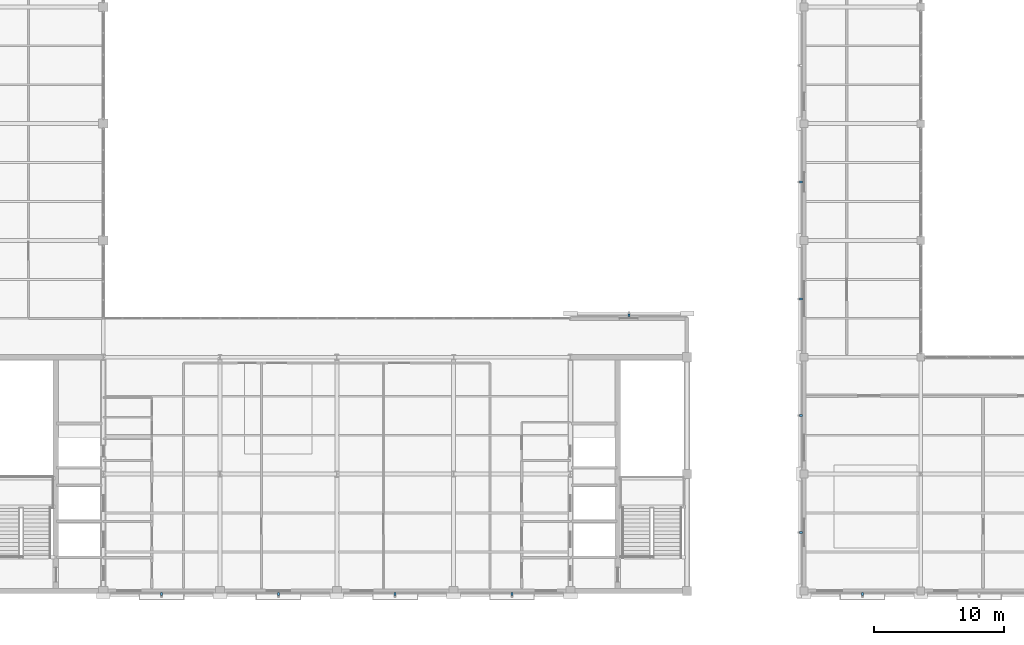
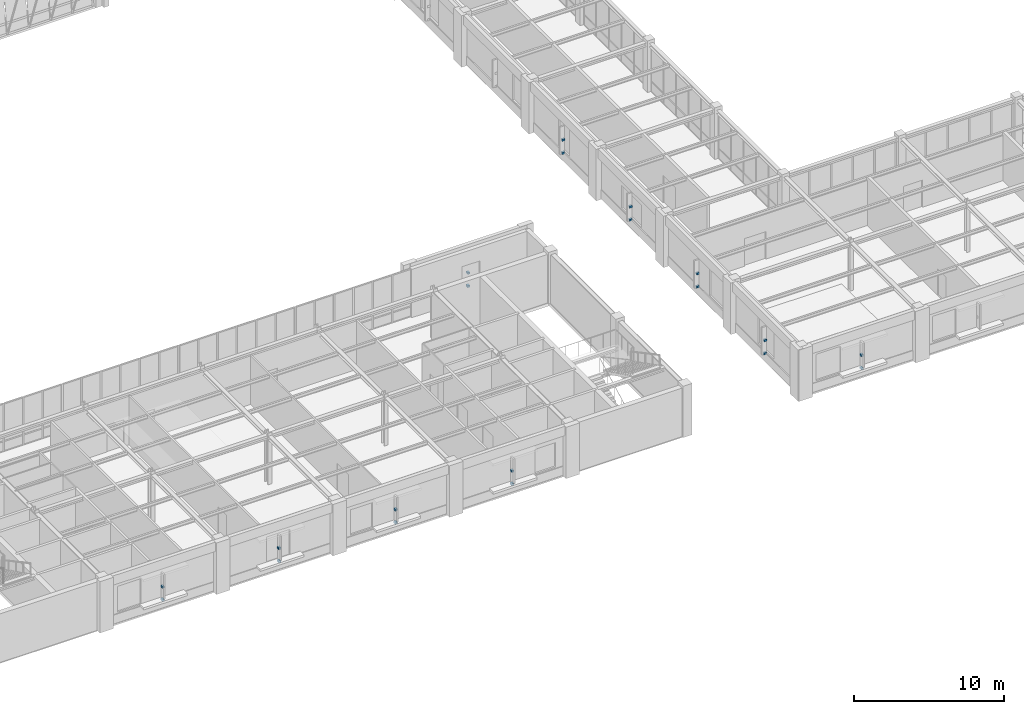
# One storey, part 118 of 130: 20 discrete accessories.
"""IFC4 building model written with IfcOpenShell, lengths in metres."""

from ifc_helpers import new_model, si_unit, direction, frame, origin, origin_2d, place, context, subcontext, project, spatial, rectangle, extrude, material, type_object, element, save


model = new_model("IFC4")

# Units and contexts
model_context = context("Model", 3, precision=1e-05, world=origin(), true_north=direction((0.0, 1.0)))
body_context = subcontext(model_context, "Body", "Model", "MODEL_VIEW")
ifc_project = project(units=[si_unit("LENGTHUNIT", "METRE"), si_unit("AREAUNIT", "SQUARE_METRE"), si_unit("VOLUMEUNIT", "CUBIC_METRE"), si_unit("PLANEANGLEUNIT", "RADIAN"), si_unit("MASSUNIT", "GRAM", prefix="KILO")], contexts=[model_context])

# Site, building, storey
site_placement = place(None, origin())
site = spatial("IfcSite", under=ifc_project, at=site_placement, CompositionType="ELEMENT")
building_placement = place(site_placement, origin())
building = spatial("IfcBuilding", under=site, at=building_placement, Name="Lykobir Media Centre", CompositionType="ELEMENT")
storey_placement = place(building_placement, frame((0.0, 0.0, 19.199951171875)))
storey = spatial("IfcBuildingStorey", under=building, at=storey_placement, Name="L04", CompositionType="ELEMENT", Elevation=19.199951171875)

# Discrete accessories
ifc_material = material(Name="Steel S355", Category="steel")
discrete_accessory_type = type_object("IfcDiscreteAccessoryType", Name="ACC-BRK", PredefinedType="BRACKET", material=ifc_material)
for number, where, z_axis, x_axis, name in (
    (1, (40.5, -0.235107421875, 0.7001953125), (0.0, 0.0, 1.0), (1.0, 0.0, 0.0), "Cumba corbel bracket 101"),
    (2, (40.5, -0.235107421875, 1.77001953125), (0.0, 0.0, 1.0), (1.0, 0.0, 0.0), "Shading fin bracket 102"),
    (3, (49.5, -0.235107421875, 0.7001953125), (0.0, 0.0, 1.0), (1.0, 0.0, 0.0), "Cumba corbel bracket 103"),
    (4, (49.5, -0.235107421875, 1.77001953125), (0.0, 0.0, 1.0), (1.0, 0.0, 0.0), "Shading fin bracket 104"),
    (5, (58.5, -0.235107421875, 0.7001953125), (0.0, 0.0, 1.0), (1.0, 0.0, 0.0), "Cumba corbel bracket 105"),
    (6, (58.5, -0.235107421875, 1.77001953125), (0.0, 0.0, 1.0), (1.0, 0.0, 0.0), "Shading fin bracket 106"),
    (7, (67.5, -0.235107421875, 0.7001953125), (0.0, 0.0, 1.0), (1.0, 0.0, 0.0), "Cumba corbel bracket 107"),
    (8, (67.5, -0.235107421875, 1.77001953125), (0.0, 0.0, 1.0), (1.0, 0.0, 0.0), "Shading fin bracket 108"),
    (9, (76.5, 21.235107421875, 0.7001953125), (0.0, 0.0, 1.0), (-1.0, 0.0, 0.0), "Cumba corbel bracket 109"),
    (10, (76.5, 21.235107421875, 1.77001953125), (0.0, 0.0, 1.0), (-1.0, 0.0, 0.0), "Shading fin bracket 110"),
    (11, (89.764892578125, 22.5, 0.7001953125), (0.0, 0.0, 1.0), (0.0, -1.0, 0.0), "Cumba corbel bracket 129"),
    (12, (89.764892578125, 22.5, 1.77001953125), (0.0, 0.0, 1.0), (0.0, -1.0, 0.0), "Shading fin bracket 130"),
    (13, (89.764892578125, 31.5, 0.7001953125), (0.0, 0.0, 1.0), (0.0, -1.0, 0.0), "Cumba corbel bracket 131"),
    (14, (89.764892578125, 31.5, 1.77001953125), (0.0, 0.0, 1.0), (0.0, -1.0, 0.0), "Shading fin bracket 132"),
    (15, (89.764892578125, 4.5, 0.7001953125), (0.0, 0.0, 1.0), (0.0, -1.0, 0.0), "Cumba corbel bracket 141"),
    (16, (89.764892578125, 4.5, 1.77001953125), (0.0, 0.0, 1.0), (0.0, -1.0, 0.0), "Shading fin bracket 142"),
    (17, (89.764892578125, 13.5, 0.7001953125), (0.0, 0.0, 1.0), (0.0, -1.0, 0.0), "Cumba corbel bracket 143"),
    (18, (89.764892578125, 13.5, 1.77001953125), (0.0, 0.0, 1.0), (0.0, -1.0, 0.0), "Shading fin bracket 144"),
    (19, (94.5, -0.235107421875, 0.7001953125), (0.0, 0.0, 1.0), (1.0, 0.0, 0.0), "Cumba corbel bracket 145"),
    (20, (94.5, -0.235107421875, 1.77001953125), (0.0, 0.0, 1.0), (1.0, 0.0, 0.0), "Shading fin bracket 146"),
):
    element("IfcDiscreteAccessory", number, at=place(storey_placement, frame(where, z_axis=z_axis, x_axis=x_axis)), inside=storey, type_object=discrete_accessory_type, Name=name, PredefinedType="BRACKET", context=body_context, shape_type="SweptSolid", body=[
        extrude(rectangle(XDim=0.159912109375, YDim=0.219970703125, at=origin_2d()), origin(), (0.0, 0.0, 1.0), 0.159912109375),
    ])

save(model, "model.ifc")
